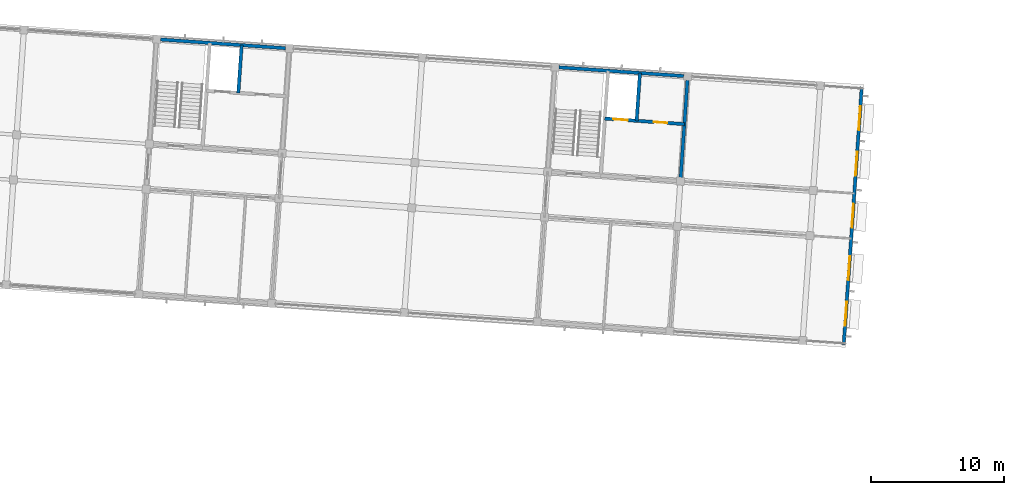
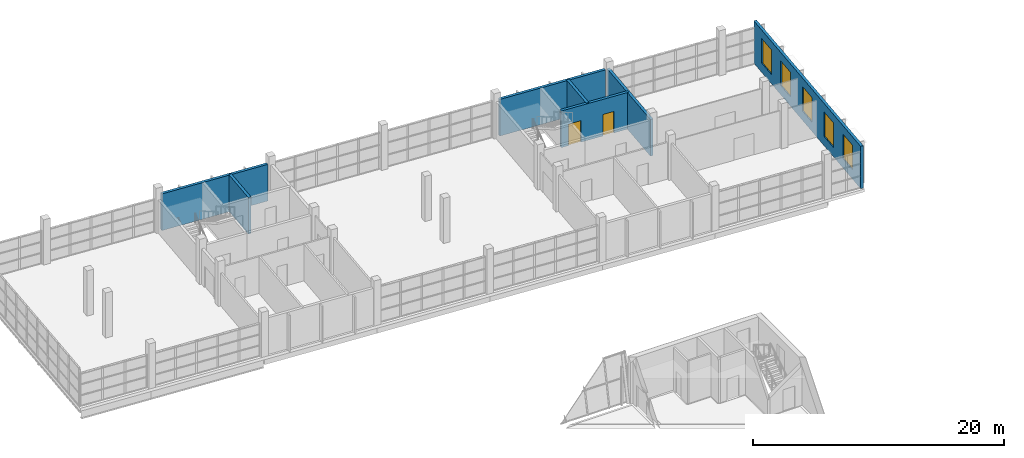
# One storey, part 78 of 115: 7 walls, 5 windows, 2 doors, 7 openings.
"""IFC4 building model written with IfcOpenShell, lengths in metres."""

import ifcopenshell
import ifcopenshell.guid

model = None  # the IFC model being written
_history = None  # IfcOwnerHistory: only IFC2X3 demands one
_inside = {}  # id of a spatial element -> (the spatial element, [elements in it])
_under = {}  # id of a project, library or spatial element -> (it, [spatial elements below it])
_declared = {}  # id of a project -> (the project, [libraries it declares])
_typed = {}  # id of a type object -> (the type object, [elements of that type])
_made_of = {}  # id of a material, layer set ... -> (it, [elements and type objects made of it])


def new_model(schema):
    """Start an empty IFC model of exactly this schema.

    Asked for "IFC4X3", IfcOpenShell would pick the latest addendum, in which some entities
    have other attributes; the version numbers below select the first issue.
    IFC2X3 requires an IfcOwnerHistory on every rooted entity: one is made here for all.
    """
    global model, _history
    if schema == "IFC4X3":
        model = ifcopenshell.file(schema_version=(4, 3, 0, 0))
    else:
        model = ifcopenshell.file(schema=schema)
    _inside.clear()
    _under.clear()
    _declared.clear()
    _typed.clear()
    _made_of.clear()
    _history = None
    if model.schema == "IFC2X3":
        org = make("IfcOrganization", Name="unknown")
        user = make(
            "IfcPersonAndOrganization",
            ThePerson=make("IfcPerson", FamilyName="unknown"),
            TheOrganization=org,
        )
        app = make(
            "IfcApplication",
            ApplicationDeveloper=org,
            Version="unknown",
            ApplicationFullName="unknown",
            ApplicationIdentifier="unknown",
        )
        _history = make(
            "IfcOwnerHistory",
            OwningUser=user,
            OwningApplication=app,
            ChangeAction="ADDED",
            CreationDate=0,
        )
    return model


def make(cls, **values):
    """One entity of the class cls with the attributes given. An attribute that is None is left unset."""
    return model.create_entity(
        cls, **{name: value for name, value in values.items() if value is not None}
    )


def rooted(cls, **values):
    """An entity with a GlobalId (a new one), such as an element, a storey or a relation."""
    return make(cls, GlobalId=ifcopenshell.guid.new(), OwnerHistory=_history, **values)


def si_unit(unit_type, name, prefix=None):
    """IfcSIUnit, for example si_unit("LENGTHUNIT", "METRE", prefix="MILLI")."""
    return make("IfcSIUnit", UnitType=unit_type, Prefix=prefix, Name=name)


def assignment(units):
    """IfcUnitAssignment: the units of a project."""
    return None if units is None else make("IfcUnitAssignment", Units=units)


def point(xyz):
    """IfcCartesianPoint."""
    return None if xyz is None else make("IfcCartesianPoint", Coordinates=xyz)


def direction(xyz):
    """IfcDirection."""
    return None if xyz is None else make("IfcDirection", DirectionRatios=xyz)


def frame(location, z_axis=None, x_axis=None):
    """IfcAxis2Placement3D, a coordinate frame: its origin and axes. An axis left out is left unset."""
    return make(
        "IfcAxis2Placement3D",
        Location=point(location),
        Axis=direction(z_axis),
        RefDirection=direction(x_axis),
    )


def frame_2d(location, x_axis=None):
    """IfcAxis2Placement2D, a coordinate frame in the plane: its origin and x axis."""
    return make(
        "IfcAxis2Placement2D", Location=point(location), RefDirection=direction(x_axis)
    )


def origin():
    """The frame at (0, 0, 0) with its axes left unset."""
    return frame((0.0, 0.0, 0.0))


def place(relative_to, where):
    """IfcLocalPlacement: puts the frame where relative to a parent placement (None: the world)."""
    return make(
        "IfcLocalPlacement", PlacementRelTo=relative_to, RelativePlacement=where
    )


def context(
    kind, dimensions, precision=None, world=None, true_north=None, identifier=None
):
    """IfcGeometricRepresentationContext, for example the 3D "Model" context."""
    return make(
        "IfcGeometricRepresentationContext",
        ContextIdentifier=identifier,
        ContextType=kind,
        CoordinateSpaceDimension=dimensions,
        Precision=precision,
        WorldCoordinateSystem=world,
        TrueNorth=true_north,
    )


def subcontext(parent, identifier, kind, view, scale=None):
    """IfcGeometricRepresentationSubContext, for example "Body" below "Model"."""
    return make(
        "IfcGeometricRepresentationSubContext",
        ContextIdentifier=identifier,
        ContextType=kind,
        ParentContext=parent,
        TargetScale=scale,
        TargetView=view,
    )


def project(units=None, contexts=None):
    """IfcProject with its units and contexts."""
    return rooted(
        "IfcProject",
        Name="project",
        RepresentationContexts=contexts,
        UnitsInContext=assignment(units),
    )


def spatial(cls, under=None, at=None, **own):
    """A site, building, storey or space (cls), placed at a placement, below another one or the project."""
    s = rooted(cls, ObjectPlacement=at, **own)
    if under is not None:
        _under.setdefault(under.id(), (under, []))[1].append(s)
    return s


def profile(cls, at=None, kind="AREA", **sizes):
    """A parametric profile (cls). Its sizes go by their IFC names, for example OverallWidth=200.0."""
    return make(cls, ProfileType=kind, Position=at, **sizes)


def rectangle(**sizes):
    """IfcRectangleProfileDef."""
    return profile("IfcRectangleProfileDef", **sizes)


def extrude(swept, where, along, depth):
    """IfcExtrudedAreaSolid: the profile swept, set in the frame where, extruded along a direction by depth."""
    return make(
        "IfcExtrudedAreaSolid",
        SweptArea=swept,
        Position=where,
        ExtrudedDirection=direction(along),
        Depth=depth,
    )


def shape(context_of_items, identifier, shape_type, items):
    """IfcShapeRepresentation: the items that make up one representation, for example the "Body"."""
    return make(
        "IfcShapeRepresentation",
        ContextOfItems=context_of_items,
        RepresentationIdentifier=identifier,
        RepresentationType=shape_type,
        Items=items,
    )


def material(Name=None, Category=None):
    """IfcMaterial."""
    return make("IfcMaterial", Name=Name, Category=Category)


def layer(
    of_material, thickness, ventilated=None, Name=None, Category=None, Priority=None
):
    """IfcMaterialLayer: one layer of a wall or slab, of a material (None: an air gap)."""
    return make(
        "IfcMaterialLayer",
        Material=of_material,
        LayerThickness=thickness,
        IsVentilated=ventilated,
        Name=Name,
        Category=Category,
        Priority=Priority,
    )


def layer_set(layers, Name=None):
    """IfcMaterialLayerSet."""
    return make("IfcMaterialLayerSet", MaterialLayers=layers, LayerSetName=Name)


def made_of(thing, what):
    """Note that an element or type object is made of a material, layer set ...; save() writes the relation."""
    if what is not None:
        _made_of.setdefault(what.id(), (what, []))[1].append(thing)
    return thing


def type_object(cls, material=None, **own):
    """A type object (cls), such as IfcWallType, which elements share."""
    return made_of(rooted(cls, **own), material)


def element(
    cls,
    number,
    at=None,
    inside=None,
    cuts=None,
    type_object=None,
    material=None,
    context=None,
    identifier="Body",
    shape_type=None,
    held_by="IfcProductDefinitionShape",
    body=None,
    shapes=None,
    **own,
):
    """One element of the class cls, such as IfcWall. Its Tag is "e" and its number.

    at: its placement. inside: the storey or other place that contains it. cuts: it is an
    opening in that element (IfcRelVoidsElement). A single representation is given by context,
    identifier, shape_type and body (its items); several are given by shapes. held_by: the class
    of the entity that holds the representations. save() writes the other relations.
    """
    e = rooted(cls, Tag="e%d" % number, ObjectPlacement=at, **own)
    if body is not None:
        shapes = [shape(context, identifier, shape_type, body)]
    if shapes is not None:
        e.Representation = make(held_by, Representations=shapes)
    if inside is not None:
        _inside.setdefault(inside.id(), (inside, []))[1].append(e)
    if cuts is not None:
        rooted(
            "IfcRelVoidsElement", RelatingBuildingElement=cuts, RelatedOpeningElement=e
        )
    if type_object is not None:
        _typed.setdefault(type_object.id(), (type_object, []))[1].append(e)
    return made_of(e, material)


def fill(opening, filler):
    """IfcRelFillsElement: the door or window that sits in an opening."""
    return rooted(
        "IfcRelFillsElement",
        RelatingOpeningElement=opening,
        RelatedBuildingElement=filler,
    )


def aggregate(whole, parts):
    """IfcRelAggregates: a whole, such as a stair, and the parts it consists of."""
    return rooted("IfcRelAggregates", RelatingObject=whole, RelatedObjects=parts)


def save(model, path):
    """Write the relations noted so far, then the file.

    IfcRelAggregates (storeys below a building ...), IfcRelContainedInSpatialStructure (elements
    in a storey), IfcRelDefinesByType, IfcRelAssociatesMaterial and IfcRelDeclares: one each for
    every whole, place, type object, material and project.
    """
    for whole, parts in _under.values():
        aggregate(whole, parts)
    for where, things in _inside.values():
        rooted(
            "IfcRelContainedInSpatialStructure",
            RelatedElements=things,
            RelatingStructure=where,
        )
    for kind, things in _typed.values():
        rooted("IfcRelDefinesByType", RelatedObjects=things, RelatingType=kind)
    for what, things in _made_of.values():
        rooted("IfcRelAssociatesMaterial", RelatedObjects=things, RelatingMaterial=what)
    for by, libraries in _declared.values():
        rooted("IfcRelDeclares", RelatingContext=by, RelatedDefinitions=libraries)
    model.write(path)


model = new_model("IFC4")

# Units and contexts
model_context = context("Model", 3, precision=1e-05, world=origin(), true_north=direction((0.0, 1.0)))
body_context = subcontext(model_context, "Body", "Model", "MODEL_VIEW")
ifc_project = project(units=[si_unit("LENGTHUNIT", "METRE"), si_unit("AREAUNIT", "SQUARE_METRE"), si_unit("VOLUMEUNIT", "CUBIC_METRE"), si_unit("PLANEANGLEUNIT", "RADIAN"), si_unit("MASSUNIT", "GRAM", prefix="KILO")], contexts=[model_context])

# Site, building, storey
site_placement = place(None, origin())
site = spatial("IfcSite", under=ifc_project, at=site_placement, CompositionType="ELEMENT")
building_placement = place(site_placement, origin())
building = spatial("IfcBuilding", under=site, at=building_placement, Name="Windward Yard Aquatics Centre", CompositionType="ELEMENT")
storey_placement = place(building_placement, frame((0.0, 0.0, 5.0)))
storey = spatial("IfcBuildingStorey", under=building, at=storey_placement, Name="L01", CompositionType="ELEMENT", Elevation=5.0)

# Walls
ifc_material_1 = material(Name="Concrete C40/50", Category="concrete")
ifc_layer_1 = layer(ifc_material_1, 0.25)
ifc_layer_set_1 = layer_set([ifc_layer_1], Name="W RC core wall 250 Concrete C40/50")
wall_type_1 = type_object("IfcWallType", Name="W RC core wall 250 Concrete C40/50", PredefinedType="SOLIDWALL", material=ifc_layer_set_1)
wall_1_placement = place(storey_placement, frame((119.4775390625, 135.2998046875, 0.0), z_axis=(0.0, 0.0, 1.0), x_axis=(0.997563596579, -0.069762961373, 0.0)))
element("IfcWall", 1, at=wall_1_placement, inside=storey, type_object=wall_type_1, Name="W.FW.L01.N.46.8", PredefinedType="SOLIDWALL", context=body_context, shape_type="SweptSolid", body=[
    extrude(rectangle(XDim=9.39990234375, YDim=0.25, at=frame_2d((4.699951171875, 0.0))), origin(), (0.0, 0.0, 1.0), 3.570068359375),
])
wall_2_placement = place(storey_placement, frame((149.404296875, 133.20703125, 0.0), z_axis=(0.0, 0.0, 1.0), x_axis=(0.997565530081, -0.069735308086, 0.0)))
element("IfcWall", 2, at=wall_2_placement, inside=storey, type_object=wall_type_1, Name="W.FW.L01.N.76.8", PredefinedType="SOLIDWALL", context=body_context, shape_type="SweptSolid", body=[
    extrude(rectangle(XDim=9.400146484375, YDim=0.25, at=frame_2d((4.7001953125, 0.0))), origin(), (0.0, 0.0, 1.0), 3.570068359375),
])
for number, where, z_axis, x_axis, name in (
    (3, (125.3115234375, 131.283203125, 0.0), (0.0, 0.0, 1.0), (0.069719119461, 0.997566661623, 0.0), "W.WL.L01.006"),
    (4, (155.23828125, 129.1904296875, 0.0), (0.0, 0.0, 1.0), (0.06978660948, 0.997561942506, 0.0), "W.WL.L01.016"),
):
    element("IfcWall", number, at=place(storey_placement, frame(where, z_axis=z_axis, x_axis=x_axis)), inside=storey, type_object=wall_type_1, Name=name, PredefinedType="SOLIDWALL", context=body_context, shape_type="SweptSolid", body=[
        extrude(rectangle(XDim=3.599853515625, YDim=0.25, at=frame_2d((1.7998046875, 0.0))), origin(), (0.0, 0.0, 1.0), 3.570068359375),
    ])
wall_3_placement = place(storey_placement, frame((158.52978515625, 124.649658203125, 0.0), z_axis=(0.0, 0.0, 1.0), x_axis=(0.0697491702, 0.997564560947, 0.0)))
element("IfcWall", 5, at=wall_3_placement, inside=storey, type_object=wall_type_1, Name="W.WL.L01.018", PredefinedType="SOLIDWALL", context=body_context, shape_type="SweptSolid", body=[
    extrude(rectangle(XDim=7.900146484375, YDim=0.25, at=frame_2d((3.9501953125, 0.0))), origin(), (0.0, 0.0, 1.0), 3.570068359375),
])

# Wall, openings, doors
wall_4_placement = place(storey_placement, frame((152.84423828125, 129.35791015625, 0.0), z_axis=(0.0, 0.0, 1.0), x_axis=(0.997562140671, -0.069783776768, 0.0)))
wall_4 = element("IfcWall", 6, at=wall_4_placement, inside=storey, type_object=wall_type_1, Name="W.WL.L01.028", PredefinedType="SOLIDWALL", context=body_context, shape_type="SweptSolid", body=[
    extrude(rectangle(XDim=6.0, YDim=0.25, at=frame_2d((3.0, 0.0))), origin(), (0.0, 0.0, 1.0), 3.570068359375),
])
opening_1_placement = place(wall_4_placement, frame((3.699951171875, 0.0, 0.0)))
opening_1 = element("IfcOpeningElement", 7, at=opening_1_placement, cuts=wall_4, Name="Opening W1017", PredefinedType="OPENING", context=body_context, shape_type="SweptSolid", body=[
    extrude(rectangle(XDim=1.0, YDim=2.10009765625, at=frame_2d((0.5, 1.050048828125))), frame((0.0, 0.135009765625, 0.0), z_axis=(0.0, -1.0, 0.0), x_axis=(1.0, 0.0, 0.0)), (0.0, 0.0, 1.0), 0.27001953125),
])
opening_2_placement = place(wall_4_placement, frame((0.64990234375, 0.0, 0.0)))
opening_2 = element("IfcOpeningElement", 8, at=opening_2_placement, cuts=wall_4, Name="Opening W1018", PredefinedType="OPENING", context=body_context, shape_type="SweptSolid", body=[
    extrude(rectangle(XDim=1.10009765625, YDim=2.10009765625, at=frame_2d((0.550048828125, 1.050048828125))), frame((0.0, 0.135009765625, 0.0), z_axis=(0.0, -1.0, 0.0), x_axis=(1.0, 0.0, 0.0)), (0.0, 0.0, 1.0), 0.27001953125),
])
ifc_material_2 = material(Name="Steel fire door leaf", Category="steel")
door_type_1 = type_object("IfcDoorType", Name="W fire door FD60 1000x2100", OperationType="SINGLE_SWING_LEFT", PredefinedType="DOOR", material=ifc_material_2)
door_1_placement = place(opening_1_placement, origin())
door_1 = element("IfcDoor", 9, at=door_1_placement, inside=storey, type_object=door_type_1, Name="W.DRI.L01.017", OperationType="SINGLE_SWING_RIGHT", OverallHeight=2.10009765625, OverallWidth=1.0, PredefinedType="DOOR", context=body_context, shape_type="SweptSolid", body=[
    extrude(rectangle(XDim=1.0, YDim=2.10009765625, at=frame_2d((0.5, 1.050048828125))), frame((0.0, 0.02490234375, 0.0), z_axis=(0.0, -1.0, 0.0), x_axis=(1.0, 0.0, 0.0)), (0.0, 0.0, 1.0), 0.050048828125),
])
fill(opening_1, door_1)
ifc_material_3 = material(Name="Stainless steel sliding door leaf", Category="steel")
door_type_2 = type_object("IfcDoorType", Name="W lift landing door 1100x2100", OperationType="SLIDING_TO_LEFT", PredefinedType="DOOR", material=ifc_material_3)
door_2_placement = place(opening_2_placement, origin())
door_2 = element("IfcDoor", 10, at=door_2_placement, inside=storey, type_object=door_type_2, Name="Landing door E L01", OperationType="SLIDING_TO_LEFT", OverallHeight=2.10009765625, OverallWidth=1.10009765625, PredefinedType="DOOR", context=body_context, shape_type="SweptSolid", body=[
    extrude(rectangle(XDim=1.10009765625, YDim=2.10009765625, at=frame_2d((0.550048828125, 1.050048828125))), frame((0.0, 0.02490234375, 0.0), z_axis=(0.0, -1.0, 0.0), x_axis=(1.0, 0.0, 0.0)), (0.0, 0.0, 1.0), 0.050048828125),
])
fill(opening_2, door_2)

# Wall, openings, windows
ifc_layer_2 = layer(ifc_material_1, 0.25)
ifc_layer_set_2 = layer_set([ifc_layer_2], Name="W facade wall 250 Precast Concrete C40/50")
wall_type_2 = type_object("IfcWallType", Name="W facade wall 250 Precast Concrete C40/50", PredefinedType="SOLIDWALL", material=ifc_layer_set_2)
wall_5_placement = place(storey_placement, frame((170.80078125, 112.3388671875, 0.0), z_axis=(0.0, 0.0, 1.0), x_axis=(0.069765298421, 0.997563433139, 0.0)))
wall_5 = element("IfcWall", 11, at=wall_5_placement, inside=storey, type_object=wall_type_2, Name="W.FW.L01.E.0.3", PredefinedType="SOLIDWALL", context=body_context, shape_type="SweptSolid", body=[
    extrude(rectangle(XDim=19.449951171875, YDim=0.25, at=frame_2d((9.72509765625, 0.0))), origin(), (0.0, 0.0, 1.0), 4.1201171875),
])
opening_3_placement = place(wall_5_placement, frame((1.449951171875, 0.0, 0.89990234375)))
opening_3 = element("IfcOpeningElement", 12, at=opening_3_placement, cuts=wall_5, Name="Opening W1501", PredefinedType="OPENING", context=body_context, shape_type="SweptSolid", body=[
    extrude(rectangle(XDim=1.800048828125, YDim=2.39990234375, at=frame_2d((0.89990234375, 1.199951171875))), frame((0.0, 0.135009765625, 0.0), z_axis=(0.0, -1.0, 0.0), x_axis=(1.0, 0.0, 0.0)), (0.0, 0.0, 1.0), 0.27001953125),
])
opening_4_placement = place(wall_5_placement, frame((4.89990234375, 0.0, 0.89990234375)))
opening_4 = element("IfcOpeningElement", 13, at=opening_4_placement, cuts=wall_5, Name="Opening W1502", PredefinedType="OPENING", context=body_context, shape_type="SweptSolid", body=[
    extrude(rectangle(XDim=1.800048828125, YDim=2.39990234375, at=frame_2d((0.89990234375, 1.199951171875))), frame((0.0, 0.135009765625, 0.0), z_axis=(0.0, -1.0, 0.0), x_axis=(1.0, 0.0, 0.0)), (0.0, 0.0, 1.0), 0.27001953125),
])
opening_5_placement = place(wall_5_placement, frame((8.824951171875, 0.0, 0.89990234375)))
opening_5 = element("IfcOpeningElement", 14, at=opening_5_placement, cuts=wall_5, Name="Opening W1503", PredefinedType="OPENING", context=body_context, shape_type="SweptSolid", body=[
    extrude(rectangle(XDim=1.800048828125, YDim=2.39990234375, at=frame_2d((0.89990234375, 1.199951171875))), frame((0.0, 0.135009765625, 0.0), z_axis=(0.0, -1.0, 0.0), x_axis=(1.0, 0.0, 0.0)), (0.0, 0.0, 1.0), 0.27001953125),
])
opening_6_placement = place(wall_5_placement, frame((12.75, 0.0, 0.89990234375)))
opening_6 = element("IfcOpeningElement", 15, at=opening_6_placement, cuts=wall_5, Name="Opening W1504", PredefinedType="OPENING", context=body_context, shape_type="SweptSolid", body=[
    extrude(rectangle(XDim=1.800048828125, YDim=2.39990234375, at=frame_2d((0.89990234375, 1.199951171875))), frame((0.0, 0.135009765625, 0.0), z_axis=(0.0, -1.0, 0.0), x_axis=(1.0, 0.0, 0.0)), (0.0, 0.0, 1.0), 0.27001953125),
])
opening_7_placement = place(wall_5_placement, frame((16.199951171875, 0.0, 0.89990234375)))
opening_7 = element("IfcOpeningElement", 16, at=opening_7_placement, cuts=wall_5, Name="Opening W1505", PredefinedType="OPENING", context=body_context, shape_type="SweptSolid", body=[
    extrude(rectangle(XDim=1.800048828125, YDim=2.39990234375, at=frame_2d((0.89990234375, 1.199951171875))), frame((0.0, 0.135009765625, 0.0), z_axis=(0.0, -1.0, 0.0), x_axis=(1.0, 0.0, 0.0)), (0.0, 0.0, 1.0), 0.27001953125),
])
ifc_material_4 = material(Name="Aluminium framed glazing", Category="aluminium")
window_type = type_object("IfcWindowType", Name="W window 1800x2400", PartitioningType="SINGLE_PANEL", PredefinedType="WINDOW", material=ifc_material_4)
window_1_placement = place(opening_3_placement, origin())
window_1 = element("IfcWindow", 17, at=window_1_placement, inside=storey, type_object=window_type, Name="W.WN.L01.W1501", OverallHeight=2.39990234375, OverallWidth=1.800048828125, PartitioningType="SINGLE_PANEL", PredefinedType="WINDOW", context=body_context, shape_type="SweptSolid", body=[
    extrude(rectangle(XDim=1.800048828125, YDim=2.39990234375, at=frame_2d((0.89990234375, 1.199951171875))), frame((0.0, 0.030029296875, 0.0), z_axis=(0.0, -1.0, 0.0), x_axis=(1.0, 0.0, 0.0)), (0.0, 0.0, 1.0), 0.06005859375),
])
fill(opening_3, window_1)
window_2_placement = place(opening_4_placement, origin())
window_2 = element("IfcWindow", 18, at=window_2_placement, inside=storey, type_object=window_type, Name="W.WN.L01.W1502", OverallHeight=2.39990234375, OverallWidth=1.800048828125, PartitioningType="SINGLE_PANEL", PredefinedType="WINDOW", context=body_context, shape_type="SweptSolid", body=[
    extrude(rectangle(XDim=1.800048828125, YDim=2.39990234375, at=frame_2d((0.89990234375, 1.199951171875))), frame((0.0, 0.030029296875, 0.0), z_axis=(0.0, -1.0, 0.0), x_axis=(1.0, 0.0, 0.0)), (0.0, 0.0, 1.0), 0.06005859375),
])
fill(opening_4, window_2)
window_3_placement = place(opening_5_placement, origin())
window_3 = element("IfcWindow", 19, at=window_3_placement, inside=storey, type_object=window_type, Name="W.WN.L01.W1503", OverallHeight=2.39990234375, OverallWidth=1.800048828125, PartitioningType="SINGLE_PANEL", PredefinedType="WINDOW", context=body_context, shape_type="SweptSolid", body=[
    extrude(rectangle(XDim=1.800048828125, YDim=2.39990234375, at=frame_2d((0.89990234375, 1.199951171875))), frame((0.0, 0.030029296875, 0.0), z_axis=(0.0, -1.0, 0.0), x_axis=(1.0, 0.0, 0.0)), (0.0, 0.0, 1.0), 0.06005859375),
])
fill(opening_5, window_3)
window_4_placement = place(opening_6_placement, origin())
window_4 = element("IfcWindow", 20, at=window_4_placement, inside=storey, type_object=window_type, Name="W.WN.L01.W1504", OverallHeight=2.39990234375, OverallWidth=1.800048828125, PartitioningType="SINGLE_PANEL", PredefinedType="WINDOW", context=body_context, shape_type="SweptSolid", body=[
    extrude(rectangle(XDim=1.800048828125, YDim=2.39990234375, at=frame_2d((0.89990234375, 1.199951171875))), frame((0.0, 0.030029296875, 0.0), z_axis=(0.0, -1.0, 0.0), x_axis=(1.0, 0.0, 0.0)), (0.0, 0.0, 1.0), 0.06005859375),
])
fill(opening_6, window_4)
window_5_placement = place(opening_7_placement, origin())
window_5 = element("IfcWindow", 21, at=window_5_placement, inside=storey, type_object=window_type, Name="W.WN.L01.W1505", OverallHeight=2.39990234375, OverallWidth=1.800048828125, PartitioningType="SINGLE_PANEL", PredefinedType="WINDOW", context=body_context, shape_type="SweptSolid", body=[
    extrude(rectangle(XDim=1.800048828125, YDim=2.39990234375, at=frame_2d((0.89990234375, 1.199951171875))), frame((0.0, 0.030029296875, 0.0), z_axis=(0.0, -1.0, 0.0), x_axis=(1.0, 0.0, 0.0)), (0.0, 0.0, 1.0), 0.06005859375),
])
fill(opening_7, window_5)

save(model, "model.ifc")
